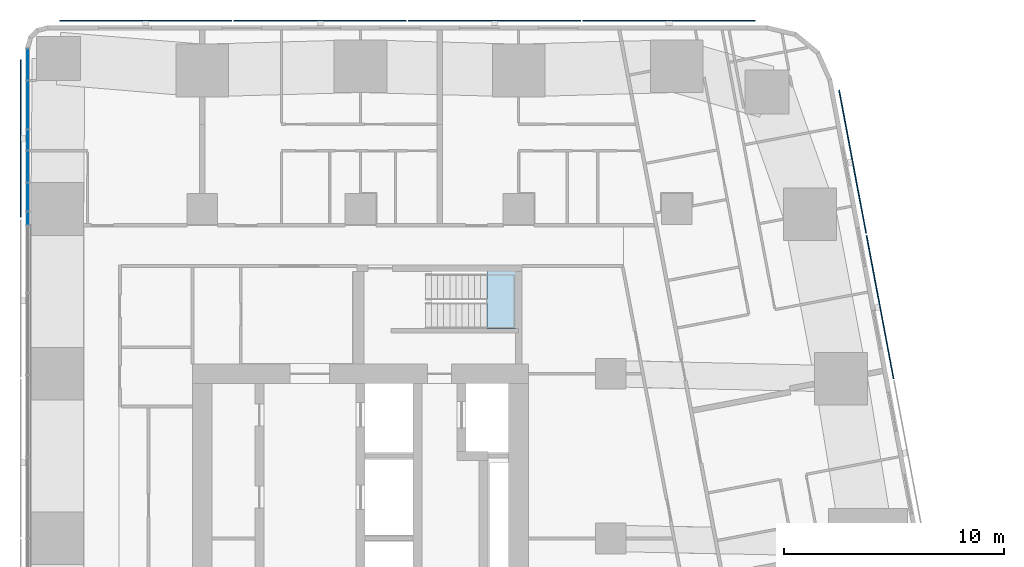
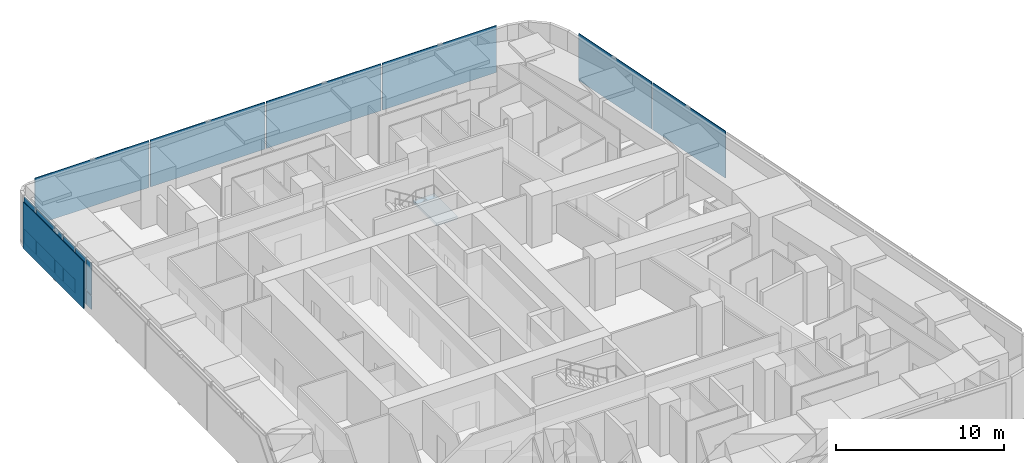
# One storey, part 9 of 19: 19 plates, 1 slab, 2 elements without a shape of their own.
"""IFC4 building model written with IfcOpenShell, lengths in metres."""

from ifc_helpers import new_model, si_unit, direction, frame, origin, origin_2d, place, context, subcontext, project, spatial, polyline, rectangle, outline, extrude, material, layer, layer_set, type_object, element, aggregate, save


model = new_model("IFC4")

# Units and contexts
model_context = context("Model", 3, precision=1e-05, world=origin(), true_north=direction((0.0, 1.0)))
body_context = subcontext(model_context, "Body", "Model", "MODEL_VIEW")
ifc_project = project(units=[si_unit("LENGTHUNIT", "METRE"), si_unit("AREAUNIT", "SQUARE_METRE"), si_unit("VOLUMEUNIT", "CUBIC_METRE"), si_unit("PLANEANGLEUNIT", "RADIAN"), si_unit("MASSUNIT", "GRAM", prefix="KILO")], contexts=[model_context])

# Site, building, storey
site_placement = place(None, origin())
site = spatial("IfcSite", under=ifc_project, at=site_placement, CompositionType="ELEMENT")
building_placement = place(site_placement, origin())
building = spatial("IfcBuilding", under=site, at=building_placement, Name="Sheger Commons Tower", CompositionType="ELEMENT")
storey_placement = place(building_placement, frame((0.0, 0.0, 216.199951171875)))
storey = spatial("IfcBuildingStorey", under=building, at=storey_placement, Name="L55", CompositionType="ELEMENT", Elevation=216.199951171875)

# Curtain wall, plates
ifc_material_1 = material(Name="Black aluminium curtain wall, dark tinted glazing", Category="aluminium")
curtain_wall_type = type_object("IfcCurtainWallType", Name="CURTAIN WALL CW4 GALLERY", PredefinedType="USERDEFINED", material=ifc_material_1)
curtain_wall_placement = place(storey_placement, origin())
curtain_wall = element("IfcCurtainWall", 1, at=curtain_wall_placement, inside=storey, type_object=curtain_wall_type, Name="Curtain Wall Cw4 Gallery W1 L55", ObjectType="UNITISED CURTAIN WALL", PredefinedType="USERDEFINED")
ifc_material_2 = material(Name="Dark tinted double glazing", Category="glass")
ifc_layer_1 = layer(ifc_material_2, 0.031982421875)
ifc_layer_set_1 = layer_set([ifc_layer_1], Name="GLAZED PANEL 32")
plate_type_1 = type_object("IfcPlateType", Name="GLAZED PANEL 32", PredefinedType="CURTAIN_PANEL", material=ifc_layer_set_1)
plate_1_placement = place(storey_placement, frame((6.449951171875, 44.0751953125, 0.065185546875), z_axis=(0.0, 0.0, 1.0), x_axis=(0.0, -1.0, 0.0)))
plate_1 = element("IfcPlate", 2, at=plate_1_placement, type_object=plate_type_1, Name="CW4 panel 1.1", PredefinedType="CURTAIN_PANEL", context=body_context, shape_type="SweptSolid", body=[
    extrude(rectangle(XDim=1.3935546875, YDim=0.031982421875, at=origin_2d()), origin(), (0.0, 0.0, 1.0), 1.00244140625),
])
plate_2_placement = place(storey_placement, frame((6.449951171875, 44.0751953125, 1.13232421875), z_axis=(0.0, 0.0, 1.0), x_axis=(0.0, -1.0, 0.0)))
plate_2 = element("IfcPlate", 3, at=plate_2_placement, type_object=plate_type_1, Name="CW4 panel 1.2", PredefinedType="CURTAIN_PANEL", context=body_context, shape_type="SweptSolid", body=[
    extrude(rectangle(XDim=1.3935546875, YDim=0.031982421875, at=origin_2d()), origin(), (0.0, 0.0, 1.0), 2.302490234375),
])
plate_3_placement = place(storey_placement, frame((6.449951171875, 42.22998046875, 0.065185546875), z_axis=(0.0, 0.0, 1.0), x_axis=(0.0, -1.0, 0.0)))
plate_3 = element("IfcPlate", 4, at=plate_3_placement, type_object=plate_type_1, Name="CW4 panel 2.1", PredefinedType="CURTAIN_PANEL", context=body_context, shape_type="SweptSolid", body=[
    extrude(rectangle(XDim=2.1669921875, YDim=0.031982421875, at=origin_2d()), origin(), (0.0, 0.0, 1.0), 1.00244140625),
])
plate_4_placement = place(storey_placement, frame((6.449951171875, 42.22998046875, 1.13232421875), z_axis=(0.0, 0.0, 1.0), x_axis=(0.0, -1.0, 0.0)))
plate_4 = element("IfcPlate", 5, at=plate_4_placement, type_object=plate_type_1, Name="CW4 panel 2.2", PredefinedType="CURTAIN_PANEL", context=body_context, shape_type="SweptSolid", body=[
    extrude(rectangle(XDim=2.1669921875, YDim=0.031982421875, at=origin_2d()), origin(), (0.0, 0.0, 1.0), 2.302490234375),
])
plate_5_placement = place(storey_placement, frame((6.449951171875, 40.632080078125, 0.065185546875), z_axis=(0.0, 0.0, 1.0), x_axis=(0.0, -1.0, 0.0)))
plate_5 = element("IfcPlate", 6, at=plate_5_placement, type_object=plate_type_1, Name="CW4 panel 3.1", PredefinedType="CURTAIN_PANEL", context=body_context, shape_type="SweptSolid", body=[
    extrude(rectangle(XDim=0.89892578125, YDim=0.031982421875, at=origin_2d()), origin(), (0.0, 0.0, 1.0), 1.00244140625),
])
plate_6_placement = place(storey_placement, frame((6.449951171875, 40.632080078125, 1.13232421875), z_axis=(0.0, 0.0, 1.0), x_axis=(0.0, -1.0, 0.0)))
plate_6 = element("IfcPlate", 7, at=plate_6_placement, type_object=plate_type_1, Name="CW4 panel 3.2", PredefinedType="CURTAIN_PANEL", context=body_context, shape_type="SweptSolid", body=[
    extrude(rectangle(XDim=0.89892578125, YDim=0.031982421875, at=origin_2d()), origin(), (0.0, 0.0, 1.0), 2.302490234375),
])
plate_7_placement = place(storey_placement, frame((6.449951171875, 39.425048828125, 0.065185546875), z_axis=(0.0, 0.0, 1.0), x_axis=(0.0, -1.0, 0.0)))
plate_7 = element("IfcPlate", 8, at=plate_7_placement, type_object=plate_type_1, Name="CW4 panel 4.1", PredefinedType="CURTAIN_PANEL", context=body_context, shape_type="SweptSolid", body=[
    extrude(rectangle(XDim=1.385009765625, YDim=0.031982421875, at=origin_2d()), origin(), (0.0, 0.0, 1.0), 1.00244140625),
])
plate_8_placement = place(storey_placement, frame((6.449951171875, 39.425048828125, 1.13232421875), z_axis=(0.0, 0.0, 1.0), x_axis=(0.0, -1.0, 0.0)))
plate_8 = element("IfcPlate", 9, at=plate_8_placement, type_object=plate_type_1, Name="CW4 panel 4.2", PredefinedType="CURTAIN_PANEL", context=body_context, shape_type="SweptSolid", body=[
    extrude(rectangle(XDim=1.385009765625, YDim=0.031982421875, at=origin_2d()), origin(), (0.0, 0.0, 1.0), 2.302490234375),
])
plate_9_placement = place(storey_placement, frame((6.449951171875, 38.04541015625, 0.065185546875), z_axis=(0.0, 0.0, 1.0), x_axis=(0.0, -1.0, 0.0)))
plate_9 = element("IfcPlate", 10, at=plate_9_placement, type_object=plate_type_1, Name="CW4 panel 5.1", PredefinedType="CURTAIN_PANEL", context=body_context, shape_type="SweptSolid", body=[
    extrude(rectangle(XDim=1.243896484375, YDim=0.031982421875, at=origin_2d()), origin(), (0.0, 0.0, 1.0), 1.00244140625),
])
plate_10_placement = place(storey_placement, frame((6.449951171875, 38.04541015625, 1.13232421875), z_axis=(0.0, 0.0, 1.0), x_axis=(0.0, -1.0, 0.0)))
plate_10 = element("IfcPlate", 11, at=plate_10_placement, type_object=plate_type_1, Name="CW4 panel 5.2", PredefinedType="CURTAIN_PANEL", context=body_context, shape_type="SweptSolid", body=[
    extrude(rectangle(XDim=1.243896484375, YDim=0.031982421875, at=origin_2d()), origin(), (0.0, 0.0, 1.0), 2.302490234375),
])
plate_11_placement = place(storey_placement, frame((6.449951171875, 37.070556640625, 0.065185546875), z_axis=(0.0, 0.0, 1.0), x_axis=(0.0, -1.0, 0.0)))
plate_11 = element("IfcPlate", 12, at=plate_11_placement, type_object=plate_type_1, Name="CW4 panel 6.1", PredefinedType="CURTAIN_PANEL", context=body_context, shape_type="SweptSolid", body=[
    extrude(rectangle(XDim=0.575927734375, YDim=0.031982421875, at=origin_2d()), origin(), (0.0, 0.0, 1.0), 1.00244140625),
])
plate_12_placement = place(storey_placement, frame((6.449951171875, 37.070556640625, 1.13232421875), z_axis=(0.0, 0.0, 1.0), x_axis=(0.0, -1.0, 0.0)))
plate_12 = element("IfcPlate", 13, at=plate_12_placement, type_object=plate_type_1, Name="CW4 panel 6.2", PredefinedType="CURTAIN_PANEL", context=body_context, shape_type="SweptSolid", body=[
    extrude(rectangle(XDim=0.575927734375, YDim=0.031982421875, at=origin_2d()), origin(), (0.0, 0.0, 1.0), 2.302490234375),
])
aggregate(curtain_wall, [plate_1, plate_2, plate_3, plate_4, plate_5, plate_6, plate_7, plate_8, plate_9, plate_10, plate_11, plate_12])

# Plates
ifc_material_3 = material(Name="Perforated black anodised aluminium screen", Category="aluminium")
ifc_layer_2 = layer(ifc_material_3, 0.050048828125)
ifc_layer_set_2 = layer_set([ifc_layer_2], Name="SOLAR SCREEN SCREEN-1")
plate_type_2 = type_object("IfcPlateType", Name="SOLAR SCREEN SCREEN-1", PredefinedType="USERDEFINED", material=ifc_layer_set_2)
for number, where, z_axis, x_axis, name in (
    (14, (45.2548828125, 33.028076171875, 0.050048828125), (0.0, 0.0, 1.0), (-0.185615165645, 0.982622516678, 0.0), "Perforated solar screen panel"),
    (15, (44.0048828125, 39.64794921875, 0.050048828125), (0.0, 0.0, 1.0), (-0.185615165645, 0.982622516678, 0.0), "Perforated solar screen panel"),
):
    element("IfcPlate", number, at=place(storey_placement, frame(where, z_axis=z_axis, x_axis=x_axis)), inside=storey, type_object=plate_type_2, Name=name, ObjectType="SCREEN", PredefinedType="USERDEFINED", context=body_context, shape_type="SweptSolid", body=[
        extrude(rectangle(XDim=6.636962890625, YDim=0.050048828125, at=origin_2d()), origin(), (0.0, 0.0, 1.0), 3.39990234375),
    ])
for number, where, z_axis, x_axis, name in (
    (16, (35.64697265625, 46.074951171875, 0.050048828125), (0.0, 0.0, 1.0), (-1.0, 0.0, 0.0), "Perforated solar screen panel"),
    (17, (27.705078125, 46.074951171875, 0.050048828125), (0.0, 0.0, 1.0), (-1.0, 0.0, 0.0), "Perforated solar screen panel"),
    (18, (19.762939453125, 46.074951171875, 0.050048828125), (0.0, 0.0, 1.0), (-1.0, 0.0, 0.0), "Perforated solar screen panel"),
    (19, (11.821044921875, 46.074951171875, 0.050048828125), (0.0, 0.0, 1.0), (-1.0, 0.0, 0.0), "Perforated solar screen panel"),
):
    element("IfcPlate", number, at=place(storey_placement, frame(where, z_axis=z_axis, x_axis=x_axis)), inside=storey, type_object=plate_type_2, Name=name, ObjectType="SCREEN", PredefinedType="USERDEFINED", context=body_context, shape_type="SweptSolid", body=[
        extrude(rectangle(XDim=7.842041015625, YDim=0.050048828125, at=origin_2d()), origin(), (0.0, 0.0, 1.0), 3.39990234375),
    ])
plate_13_placement = place(storey_placement, frame((6.125, 40.7080078125, 0.050048828125), z_axis=(0.0, 0.0, 1.0), x_axis=(0.0, -1.0, 0.0)))
element("IfcPlate", 20, at=plate_13_placement, inside=storey, type_object=plate_type_2, Name="Perforated solar screen panel", ObjectType="SCREEN", PredefinedType="USERDEFINED", context=body_context, shape_type="SweptSolid", body=[
    extrude(rectangle(XDim=7.18310546875, YDim=0.050048828125, at=origin_2d()), origin(), (0.0, 0.0, 1.0), 3.39990234375),
])

# Stair, slab
ifc_material_4 = material(Name="Concrete C35/45", Category="concrete")
stair_type = type_object("IfcStairType", Name="HALF-TURN STAIR 1200 RISE 3750", PredefinedType="HALF_TURN_STAIR", material=ifc_material_4)
stair_placement = place(storey_placement, origin())
stair = element("IfcStair", 21, at=stair_placement, inside=storey, type_object=stair_type, Name="Stair S2 L55", PredefinedType="HALF_TURN_STAIR")
ifc_material_5 = material(Name="Concrete C35/45", Category="concrete")
ifc_layer_3 = layer(ifc_material_5, 0.199951171875)
ifc_layer_set_3 = layer_set([ifc_layer_3], Name="STAIR LANDING 200")
slab_type = type_object("IfcSlabType", Name="STAIR LANDING 200", PredefinedType="LANDING", material=ifc_layer_set_3)
slab_placement = place(storey_placement, frame((0.0, 0.0, 1.675048828125)))
slab = element("IfcSlab", 22, at=slab_placement, type_object=slab_type, Name="S2 landing 1", PredefinedType="LANDING", context=body_context, shape_type="SweptSolid", body=[
    extrude(outline(polyline([(27.35009765625, 32.050048828125), (28.800048828125, 32.050048828125), (28.800048828125, 34.800048828125), (27.35009765625, 34.800048828125), (27.35009765625, 32.050048828125)])), origin(), (0.0, 0.0, 1.0), 0.199951171875),
])
aggregate(stair, [slab])

save(model, "model.ifc")
